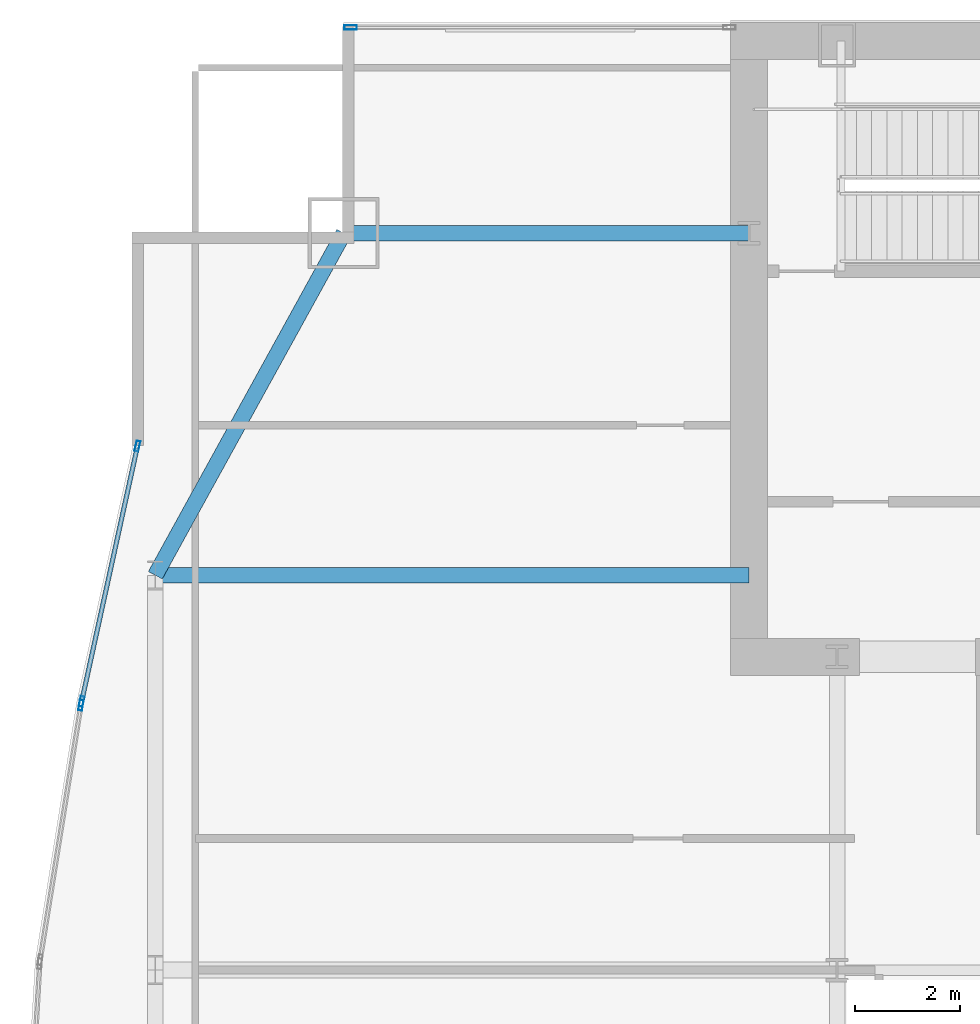
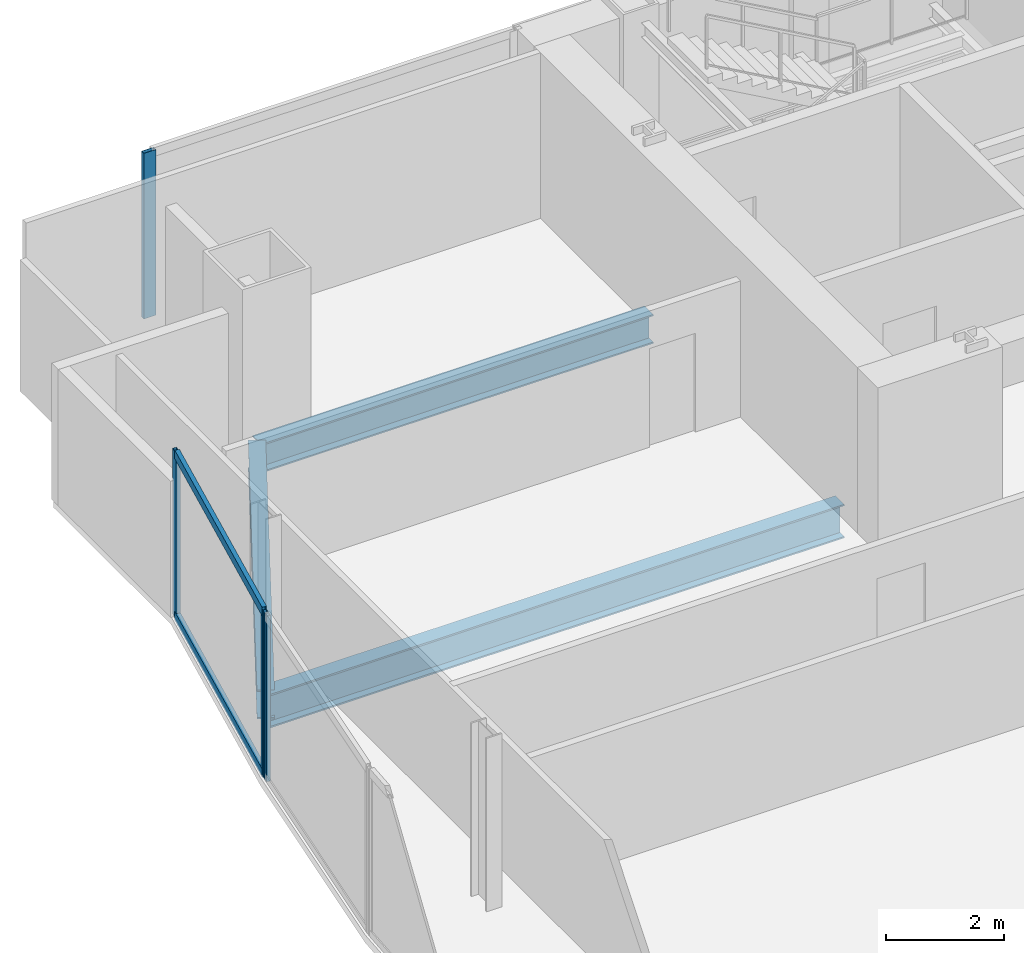
# One storey, part 17 of 29: 6 members, 3 beams, 3 elements without a shape of their own.
"""IFC4 building model written with IfcOpenShell, lengths in metres."""

from ifc_helpers import new_model, si_unit, direction, frame, origin, origin_2d, place, context, subcontext, project, spatial, hollow_rectangle, i_section, extrude, material, material_profile, profile_set, type_object, element, aggregate, save


model = new_model("IFC4")

# Units and contexts
model_context = context("Model", 3, precision=1e-05, world=origin(), true_north=direction((0.0, 1.0)))
body_context = subcontext(model_context, "Body", "Model", "MODEL_VIEW")
ifc_project = project(units=[si_unit("LENGTHUNIT", "METRE"), si_unit("AREAUNIT", "SQUARE_METRE"), si_unit("VOLUMEUNIT", "CUBIC_METRE"), si_unit("PLANEANGLEUNIT", "RADIAN"), si_unit("MASSUNIT", "GRAM", prefix="KILO")], contexts=[model_context])

# Site, building, storey
site_placement = place(None, origin())
site = spatial("IfcSite", under=ifc_project, at=site_placement, CompositionType="ELEMENT")
building_placement = place(site_placement, origin())
building = spatial("IfcBuilding", under=site, at=building_placement, Name="Khoronbel Lancet Exchange", CompositionType="ELEMENT")
storey_placement = place(building_placement, frame((0.0, 0.0, 161.39990234375)))
storey = spatial("IfcBuildingStorey", under=building, at=storey_placement, Name="L40", CompositionType="ELEMENT", Elevation=161.39990234375)

# Beams
ifc_material_1 = material(Name="Steel S355", Category="steel")
ifc_material_profile_1 = material_profile(ifc_material_1, i_section(OverallWidth=0.300048828125, OverallDepth=0.699951171875, WebThickness=0.01708984375, FlangeThickness=0.031982421875, at=origin_2d()), Name="HEB 700")
ifc_profile_set_1 = profile_set([ifc_material_profile_1], Name="Steel S355")
beam_type_1 = type_object("IfcBeamType", Name="BM-BG3", PredefinedType="BEAM", material=ifc_profile_set_1)
beam_1_placement = place(storey_placement, frame((5.27001953125, 43.199951171875, -0.510009765625), z_axis=(1.0, 0.0, 0.0), x_axis=(0.0, 1.0, 0.0)))
element("IfcBeam", 1, at=beam_1_placement, inside=storey, type_object=beam_type_1, Name="Level L40 west lens tie girder LG3W", PredefinedType="BEAM", context=body_context, shape_type="SweptSolid", body=[
    extrude(i_section(OverallWidth=0.300048828125, OverallDepth=0.699951171875, WebThickness=0.01708984375, FlangeThickness=0.031982421875, at=origin_2d()), origin(), (0.0, 0.0, 1.0), 11.280029296875),
])
ifc_material_profile_2 = material_profile(ifc_material_1, i_section(OverallWidth=0.300048828125, OverallDepth=0.60009765625, WebThickness=0.015380859375, FlangeThickness=0.030029296875, at=origin_2d()), Name="HEB 600")
ifc_profile_set_2 = profile_set([ifc_material_profile_2], Name="Steel S355")
beam_type_2 = type_object("IfcBeamType", Name="BM-BSP2", PredefinedType="SPANDREL", material=ifc_profile_set_2)
beam_2_placement = place(storey_placement, frame((8.85009765625, 49.699951171875, -0.4599609375), z_axis=(-0.482444051088, -0.875926787791, 0.0), x_axis=(0.875926787791, -0.482444051088, 0.0)))
element("IfcBeam", 2, at=beam_2_placement, inside=storey, type_object=beam_type_2, Name="Level L40 perimeter spandrel beam SP16", PredefinedType="SPANDREL", context=body_context, shape_type="SweptSolid", body=[
    extrude(i_section(OverallWidth=0.300048828125, OverallDepth=0.60009765625, WebThickness=0.015380859375, FlangeThickness=0.030029296875, at=origin_2d()), origin(), (0.0, 0.0, 1.0), 7.420654296875),
])
beam_3_placement = place(storey_placement, frame((8.85009765625, 49.699951171875, -0.4599609375), z_axis=(1.0, 0.0, 0.0), x_axis=(0.0, 1.0, 0.0)))
element("IfcBeam", 3, at=beam_3_placement, inside=storey, type_object=beam_type_2, Name="Level L40 north flank tie spandrel SP22", PredefinedType="SPANDREL", context=body_context, shape_type="SweptSolid", body=[
    extrude(i_section(OverallWidth=0.300048828125, OverallDepth=0.60009765625, WebThickness=0.015380859375, FlangeThickness=0.030029296875, at=origin_2d()), origin(), (0.0, 0.0, 1.0), 7.699951171875),
])

# Curtain wall, member
ifc_material_2 = material(Name="Low-E Solar Control Insulating Glass", Category="glass")
curtain_wall_type_1 = type_object("IfcCurtainWallType", Name="CW-3", PredefinedType="NOTDEFINED", material=ifc_material_2)
curtain_wall_1_placement = place(storey_placement, origin())
curtain_wall_1 = element("IfcCurtainWall", 4, at=curtain_wall_1_placement, inside=storey, type_object=curtain_wall_type_1, Name="Unitised curtain wall CW-L40-NWFLK", PredefinedType="NOTDEFINED")
ifc_material_3 = material(Name="Bronze-Anodised Aluminium 6063-T6", Category="aluminium")
ifc_material_profile_3 = material_profile(ifc_material_3, hollow_rectangle(XDim=0.0849609375, YDim=0.239990234375, WallThickness=0.006103515625, at=origin_2d()), Name="ALU MULLION 85x240")
ifc_profile_set_3 = profile_set([ifc_material_profile_3], Name="Bronze-Anodised Aluminium 6063-T6")
member_type_1 = type_object("IfcMemberType", Name="MEM-CWM1", PredefinedType="MULLION", material=ifc_profile_set_3)
member_1_placement = place(storey_placement, frame((8.982421875, 53.610107421875, 0.0), z_axis=(0.0, 0.0, 1.0), x_axis=(0.0, -1.0, 0.0)))
member_1 = element("IfcMember", 5, at=member_1_placement, type_object=member_type_1, Name="CW3 mullion 2", PredefinedType="MULLION", context=body_context, shape_type="SweptSolid", body=[
    extrude(hollow_rectangle(XDim=0.0849609375, YDim=0.239990234375, WallThickness=0.006103515625, at=origin_2d()), origin(), (0.0, 0.0, 1.0), 3.440185546875),
])
aggregate(curtain_wall_1, [member_1])

curtain_wall_type_2 = type_object("IfcCurtainWallType", Name="CW-4", PredefinedType="NOTDEFINED", material=ifc_material_2)
curtain_wall_2_placement = place(storey_placement, origin())
curtain_wall_2 = element("IfcCurtainWall", 6, at=curtain_wall_2_placement, inside=storey, type_object=curtain_wall_type_2, Name="Unitised curtain wall CW-L40-E08", PredefinedType="NOTDEFINED")
ifc_material_profile_4 = material_profile(ifc_material_3, hollow_rectangle(XDim=0.074951171875, YDim=0.199951171875, WallThickness=0.0048828125, at=origin_2d()), Name="ALU MULLION 75x200")
ifc_profile_set_4 = profile_set([ifc_material_profile_4], Name="Bronze-Anodised Aluminium 6063-T6")
member_type_2 = type_object("IfcMemberType", Name="MEM-CWM2", PredefinedType="MULLION", material=ifc_profile_set_4)
member_2_placement = place(storey_placement, frame((3.857666015625, 40.7294921875, 0.0), z_axis=(0.0, 0.0, 1.0), x_axis=(-0.987429710822, 0.158058742835, 0.0)))
member_2 = element("IfcMember", 7, at=member_2_placement, type_object=member_type_2, Name="CW4 mullion 2", PredefinedType="MULLION", context=body_context, shape_type="SweptSolid", body=[
    extrude(hollow_rectangle(XDim=0.074951171875, YDim=0.199951171875, WallThickness=0.0048828125, at=origin_2d()), origin(), (0.0, 0.0, 1.0), 3.440185546875),
])
aggregate(curtain_wall_2, [member_2])

# Curtain wall, members
curtain_wall_3_placement = place(storey_placement, origin())
curtain_wall_3 = element("IfcCurtainWall", 8, at=curtain_wall_3_placement, inside=storey, type_object=curtain_wall_type_2, Name="Unitised curtain wall CW-L40-E09", PredefinedType="NOTDEFINED")
member_3_placement = place(storey_placement, frame((3.87158203125, 40.80322265625, 0.0), z_axis=(0.0, 0.0, 1.0), x_axis=(-0.976923181341, 0.213590958982, 0.0)))
member_3 = element("IfcMember", 9, at=member_3_placement, type_object=member_type_2, Name="CW4 mullion 1", PredefinedType="MULLION", context=body_context, shape_type="SweptSolid", body=[
    extrude(hollow_rectangle(XDim=0.074951171875, YDim=0.199951171875, WallThickness=0.0048828125, at=origin_2d()), origin(), (0.0, 0.0, 1.0), 3.440185546875),
])
member_4_placement = place(storey_placement, frame((4.931884765625, 45.653564453125, 0.0), z_axis=(0.0, 0.0, 1.0), x_axis=(-0.976923181341, 0.213590958982, 0.0)))
member_4 = element("IfcMember", 10, at=member_4_placement, type_object=member_type_2, Name="CW4 mullion 2", PredefinedType="MULLION", context=body_context, shape_type="SweptSolid", body=[
    extrude(hollow_rectangle(XDim=0.074951171875, YDim=0.199951171875, WallThickness=0.0048828125, at=origin_2d()), origin(), (0.0, 0.0, 1.0), 3.440185546875),
])
ifc_material_profile_5 = material_profile(ifc_material_3, hollow_rectangle(XDim=0.0849609375, YDim=0.179931640625, WallThickness=0.0048828125, at=origin_2d()), Name="ALU TRANSOM 85x180")
ifc_profile_set_5 = profile_set([ifc_material_profile_5], Name="Bronze-Anodised Aluminium 6063-T6")
member_type_3 = type_object("IfcMemberType", Name="MEM-CWT1", PredefinedType="USERDEFINED", material=ifc_profile_set_5)
member_5_placement = place(storey_placement, frame((3.879638671875, 40.83984375, 0.04248046875), z_axis=(0.213588182485, 0.97692378838, 0.0), x_axis=(-0.97692378838, 0.213588182485, 0.0)))
member_5 = element("IfcMember", 11, at=member_5_placement, type_object=member_type_3, Name="CW4 transom 1.1", ObjectType="TRANSOM", PredefinedType="USERDEFINED", context=body_context, shape_type="SweptSolid", body=[
    extrude(hollow_rectangle(XDim=0.0849609375, YDim=0.179931640625, WallThickness=0.0048828125, at=origin_2d()), origin(), (0.0, 0.0, 1.0), 4.889892578125),
])
member_6_placement = place(storey_placement, frame((3.879638671875, 40.83984375, 3.397705078125), z_axis=(0.213588182485, 0.97692378838, 0.0), x_axis=(-0.97692378838, 0.213588182485, 0.0)))
member_6 = element("IfcMember", 12, at=member_6_placement, type_object=member_type_3, Name="CW4 transom 1.2", ObjectType="TRANSOM", PredefinedType="USERDEFINED", context=body_context, shape_type="SweptSolid", body=[
    extrude(hollow_rectangle(XDim=0.0849609375, YDim=0.179931640625, WallThickness=0.0048828125, at=origin_2d()), origin(), (0.0, 0.0, 1.0), 4.889892578125),
])
aggregate(curtain_wall_3, [member_3, member_4, member_5, member_6])

save(model, "model.ifc")
